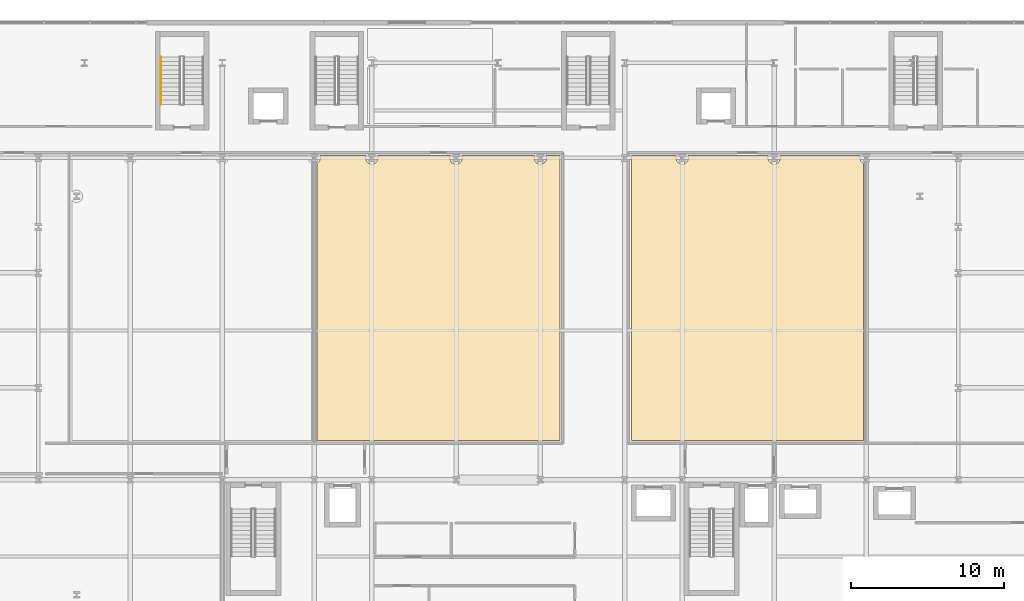
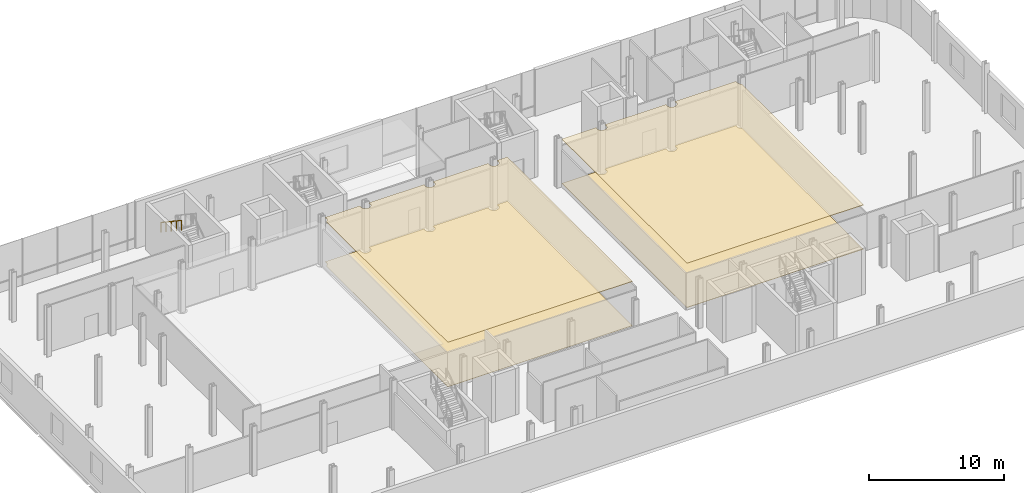
# One storey, part 23 of 25: 4 coverings, 1 railing.
"""IFC4 building model written with IfcOpenShell, lengths in metres."""

from ifc_helpers import new_model, si_unit, direction, frame, origin, origin_2d, place, context, subcontext, project, spatial, polyline, circle, outline, extrude, material, layer, layer_set, type_object, element, save


model = new_model("IFC4")

# Units and contexts
model_context = context("Model", 3, precision=1e-05, world=origin(), true_north=direction((0.0, 1.0)))
body_context = subcontext(model_context, "Body", "Model", "MODEL_VIEW")
ifc_project = project(units=[si_unit("LENGTHUNIT", "METRE"), si_unit("AREAUNIT", "SQUARE_METRE"), si_unit("VOLUMEUNIT", "CUBIC_METRE"), si_unit("PLANEANGLEUNIT", "RADIAN"), si_unit("MASSUNIT", "GRAM", prefix="KILO")], contexts=[model_context])

# Site, building, storey
site_placement = place(None, origin())
site = spatial("IfcSite", under=ifc_project, at=site_placement, CompositionType="ELEMENT")
building_placement = place(site_placement, origin())
building = spatial("IfcBuilding", under=site, at=building_placement, Name="Brevholm Reach", CompositionType="ELEMENT")
storey_placement = place(building_placement, frame((0.0, 0.0, 13.5)))
storey = spatial("IfcBuildingStorey", under=building, at=storey_placement, Name="L03", CompositionType="ELEMENT", Elevation=13.5)

# Coverings
ifc_material_1 = material(Name="Perforated Mineral-Fibre Class-A Acoustic Suspended Ceiling", Category="gypsum")
ifc_layer_1 = layer(ifc_material_1, 0.044921875)
ifc_layer_set_1 = layer_set([ifc_layer_1], Name="Perforated Mineral-Fibre Class-A Acoustic Suspended Ceiling")
covering_type_1 = type_object("IfcCoveringType", Name="COV-CLG-AC", PredefinedType="CEILING", material=ifc_layer_set_1)
covering_1_placement = place(storey_placement, frame((0.0, 0.0, 4.0048828125)))
element("IfcCovering", 1, at=covering_1_placement, inside=storey, type_object=covering_type_1, Name="L03 Suspended Ceiling L03-37", PredefinedType="CEILING", context=body_context, shape_type="SweptSolid", body=[
    extrude(outline(polyline([(18.18408203125, 12.583984375), (18.18408203125, 30.64501953125), (18.188720703125, 30.647216796875), (18.22216796875, 30.66748046875), (18.25390625, 30.69091796875), (18.28271484375, 30.71728515625), (18.30908203125, 30.74609375), (18.33251953125, 30.77783203125), (18.352783203125, 30.811279296875), (18.36962890625, 30.846923828125), (18.3828125, 30.8837890625), (18.392333984375, 30.922119140625), (18.398193359375, 30.960693359375), (18.39990234375, 31.0), (18.398193359375, 31.039306640625), (18.392333984375, 31.077880859375), (18.3828125, 31.1162109375), (18.36962890625, 31.153076171875), (18.36328125, 31.166015625), (21.38671875, 31.166015625), (21.38037109375, 31.153076171875), (21.3671875, 31.1162109375), (21.357666015625, 31.077880859375), (21.351806640625, 31.039306640625), (21.35009765625, 31.0), (21.351806640625, 30.960693359375), (21.357666015625, 30.922119140625), (21.3671875, 30.8837890625), (21.38037109375, 30.846923828125), (21.397216796875, 30.811279296875), (21.41748046875, 30.77783203125), (21.44091796875, 30.74609375), (21.46728515625, 30.71728515625), (21.49609375, 30.69091796875), (21.52783203125, 30.66748046875), (21.561279296875, 30.647216796875), (21.596923828125, 30.63037109375), (21.6337890625, 30.6171875), (21.672119140625, 30.607666015625), (21.710693359375, 30.601806640625), (21.75, 30.60009765625), (21.789306640625, 30.601806640625), (21.827880859375, 30.607666015625), (21.8662109375, 30.6171875), (21.903076171875, 30.63037109375), (21.938720703125, 30.647216796875), (21.97216796875, 30.66748046875), (22.00390625, 30.69091796875), (22.03271484375, 30.71728515625), (22.05908203125, 30.74609375), (22.08251953125, 30.77783203125), (22.102783203125, 30.811279296875), (22.11962890625, 30.846923828125), (22.1328125, 30.8837890625), (22.142333984375, 30.922119140625), (22.148193359375, 30.960693359375), (22.14990234375, 31.0), (22.148193359375, 31.039306640625), (22.142333984375, 31.077880859375), (22.1328125, 31.1162109375), (22.11962890625, 31.153076171875), (22.11328125, 31.166015625), (26.88671875, 31.166015625), (26.88037109375, 31.153076171875), (26.8671875, 31.1162109375), (26.857666015625, 31.077880859375), (26.851806640625, 31.039306640625), (26.85009765625, 31.0), (26.851806640625, 30.960693359375), (26.857666015625, 30.922119140625), (26.8671875, 30.8837890625), (26.88037109375, 30.846923828125), (26.897216796875, 30.811279296875), (26.91748046875, 30.77783203125), (26.94091796875, 30.74609375), (26.96728515625, 30.71728515625), (26.99609375, 30.69091796875), (27.02783203125, 30.66748046875), (27.061279296875, 30.647216796875), (27.096923828125, 30.63037109375), (27.1337890625, 30.6171875), (27.172119140625, 30.607666015625), (27.210693359375, 30.601806640625), (27.25, 30.60009765625), (27.289306640625, 30.601806640625), (27.327880859375, 30.607666015625), (27.3662109375, 30.6171875), (27.403076171875, 30.63037109375), (27.438720703125, 30.647216796875), (27.47216796875, 30.66748046875), (27.50390625, 30.69091796875), (27.53271484375, 30.71728515625), (27.55908203125, 30.74609375), (27.58251953125, 30.77783203125), (27.602783203125, 30.811279296875), (27.61962890625, 30.846923828125), (27.6328125, 30.8837890625), (27.642333984375, 30.922119140625), (27.648193359375, 30.960693359375), (27.64990234375, 31.0), (27.648193359375, 31.039306640625), (27.642333984375, 31.077880859375), (27.6328125, 31.1162109375), (27.61962890625, 31.153076171875), (27.61328125, 31.166015625), (32.38671875, 31.166015625), (32.38037109375, 31.153076171875), (32.3671875, 31.1162109375), (32.357666015625, 31.077880859375), (32.351806640625, 31.039306640625), (32.35009765625, 31.0), (32.351806640625, 30.960693359375), (32.357666015625, 30.922119140625), (32.3671875, 30.8837890625), (32.38037109375, 30.846923828125), (32.397216796875, 30.811279296875), (32.41748046875, 30.77783203125), (32.44091796875, 30.74609375), (32.46728515625, 30.71728515625), (32.49609375, 30.69091796875), (32.52783203125, 30.66748046875), (32.561279296875, 30.647216796875), (32.596923828125, 30.63037109375), (32.6337890625, 30.6171875), (32.672119140625, 30.607666015625), (32.710693359375, 30.601806640625), (32.75, 30.60009765625), (32.789306640625, 30.601806640625), (32.827880859375, 30.607666015625), (32.8662109375, 30.6171875), (32.903076171875, 30.63037109375), (32.938720703125, 30.647216796875), (32.97216796875, 30.66748046875), (33.00390625, 30.69091796875), (33.03271484375, 30.71728515625), (33.05908203125, 30.74609375), (33.08251953125, 30.77783203125), (33.102783203125, 30.811279296875), (33.11962890625, 30.846923828125), (33.1328125, 30.8837890625), (33.142333984375, 30.922119140625), (33.148193359375, 30.960693359375), (33.14990234375, 31.0), (33.148193359375, 31.039306640625), (33.142333984375, 31.077880859375), (33.1328125, 31.1162109375), (33.11962890625, 31.153076171875), (33.11328125, 31.166015625), (34.01611328125, 31.166015625), (34.01611328125, 12.583984375), (18.18408203125, 12.583984375)])), origin(), (0.0, 0.0, 1.0), 0.045166015625),
])
covering_2_placement = place(storey_placement, frame((0.0, 0.0, 4.0048828125)))
element("IfcCovering", 2, at=covering_2_placement, inside=storey, type_object=covering_type_1, Name="L03 Suspended Ceiling L03-38", PredefinedType="CEILING", context=body_context, shape_type="SweptSolid", body=[
    extrude(outline(polyline([(53.820068359375, 12.583984375), (38.68408203125, 12.583984375), (38.68408203125, 31.166015625), (41.63671875, 31.166015625), (41.63037109375, 31.153076171875), (41.6171875, 31.1162109375), (41.607666015625, 31.077880859375), (41.601806640625, 31.039306640625), (41.60009765625, 31.0), (41.601806640625, 30.960693359375), (41.607666015625, 30.922119140625), (41.6171875, 30.8837890625), (41.63037109375, 30.846923828125), (41.647216796875, 30.811279296875), (41.66748046875, 30.77783203125), (41.69091796875, 30.74609375), (41.71728515625, 30.71728515625), (41.74609375, 30.69091796875), (41.77783203125, 30.66748046875), (41.811279296875, 30.647216796875), (41.846923828125, 30.63037109375), (41.8837890625, 30.6171875), (41.922119140625, 30.607666015625), (41.960693359375, 30.601806640625), (42.0, 30.60009765625), (42.039306640625, 30.601806640625), (42.077880859375, 30.607666015625), (42.1162109375, 30.6171875), (42.153076171875, 30.63037109375), (42.188720703125, 30.647216796875), (42.22216796875, 30.66748046875), (42.25390625, 30.69091796875), (42.28271484375, 30.71728515625), (42.30908203125, 30.74609375), (42.33251953125, 30.77783203125), (42.352783203125, 30.811279296875), (42.36962890625, 30.846923828125), (42.3828125, 30.8837890625), (42.392333984375, 30.922119140625), (42.398193359375, 30.960693359375), (42.39990234375, 31.0), (42.398193359375, 31.039306640625), (42.392333984375, 31.077880859375), (42.3828125, 31.1162109375), (42.36962890625, 31.153076171875), (42.36328125, 31.166015625), (47.63671875, 31.166015625), (47.63037109375, 31.153076171875), (47.6171875, 31.1162109375), (47.607666015625, 31.077880859375), (47.601806640625, 31.039306640625), (47.60009765625, 31.0), (47.601806640625, 30.960693359375), (47.607666015625, 30.922119140625), (47.6171875, 30.8837890625), (47.63037109375, 30.846923828125), (47.647216796875, 30.811279296875), (47.66748046875, 30.77783203125), (47.69091796875, 30.74609375), (47.71728515625, 30.71728515625), (47.74609375, 30.69091796875), (47.77783203125, 30.66748046875), (47.811279296875, 30.647216796875), (47.846923828125, 30.63037109375), (47.8837890625, 30.6171875), (47.922119140625, 30.607666015625), (47.960693359375, 30.601806640625), (48.0, 30.60009765625), (48.039306640625, 30.601806640625), (48.077880859375, 30.607666015625), (48.1162109375, 30.6171875), (48.153076171875, 30.63037109375), (48.188720703125, 30.647216796875), (48.22216796875, 30.66748046875), (48.25390625, 30.69091796875), (48.28271484375, 30.71728515625), (48.30908203125, 30.74609375), (48.33251953125, 30.77783203125), (48.352783203125, 30.811279296875), (48.36962890625, 30.846923828125), (48.3828125, 30.8837890625), (48.392333984375, 30.922119140625), (48.398193359375, 30.960693359375), (48.39990234375, 31.0), (48.398193359375, 31.039306640625), (48.392333984375, 31.077880859375), (48.3828125, 31.1162109375), (48.36962890625, 31.153076171875), (48.36328125, 31.166015625), (53.63671875, 31.166015625), (53.63037109375, 31.153076171875), (53.6171875, 31.1162109375), (53.607666015625, 31.077880859375), (53.601806640625, 31.039306640625), (53.60009765625, 31.0), (53.601806640625, 30.960693359375), (53.607666015625, 30.922119140625), (53.6171875, 30.8837890625), (53.63037109375, 30.846923828125), (53.647216796875, 30.811279296875), (53.66748046875, 30.77783203125), (53.69091796875, 30.74609375), (53.71728515625, 30.71728515625), (53.74609375, 30.69091796875), (53.77783203125, 30.66748046875), (53.811279296875, 30.647216796875), (53.820068359375, 30.643310546875), (53.820068359375, 12.583984375)])), origin(), (0.0, 0.0, 1.0), 0.045166015625),
])
ifc_material_2 = material(Name="Engineered European Oak Acoustic Plank Flooring", Category="timber")
ifc_layer_2 = layer(ifc_material_2, 0.02197265625)
ifc_layer_set_2 = layer_set([ifc_layer_2], Name="Engineered European Oak Acoustic Plank Flooring")
covering_type_2 = type_object("IfcCoveringType", Name="COV-FLR-OAK", PredefinedType="FLOORING", material=ifc_layer_set_2)
covering_3_placement = place(storey_placement, origin())
element("IfcCovering", 3, at=covering_3_placement, inside=storey, type_object=covering_type_2, Name="L03 Floor Finish L03-37", PredefinedType="FLOORING", context=body_context, shape_type="SweptSolid", body=[
    extrude(outline(polyline([(18.18408203125, 12.583984375), (18.18408203125, 30.64501953125), (18.188720703125, 30.647216796875), (18.22216796875, 30.66748046875), (18.25390625, 30.69091796875), (18.28271484375, 30.71728515625), (18.30908203125, 30.74609375), (18.33251953125, 30.77783203125), (18.352783203125, 30.811279296875), (18.36962890625, 30.846923828125), (18.3828125, 30.8837890625), (18.392333984375, 30.922119140625), (18.398193359375, 30.960693359375), (18.39990234375, 31.0), (18.398193359375, 31.039306640625), (18.392333984375, 31.077880859375), (18.3828125, 31.1162109375), (18.36962890625, 31.153076171875), (18.36328125, 31.166015625), (21.38671875, 31.166015625), (21.38037109375, 31.153076171875), (21.3671875, 31.1162109375), (21.357666015625, 31.077880859375), (21.351806640625, 31.039306640625), (21.35009765625, 31.0), (21.351806640625, 30.960693359375), (21.357666015625, 30.922119140625), (21.3671875, 30.8837890625), (21.38037109375, 30.846923828125), (21.397216796875, 30.811279296875), (21.41748046875, 30.77783203125), (21.44091796875, 30.74609375), (21.46728515625, 30.71728515625), (21.49609375, 30.69091796875), (21.52783203125, 30.66748046875), (21.561279296875, 30.647216796875), (21.596923828125, 30.63037109375), (21.6337890625, 30.6171875), (21.672119140625, 30.607666015625), (21.710693359375, 30.601806640625), (21.75, 30.60009765625), (21.789306640625, 30.601806640625), (21.827880859375, 30.607666015625), (21.8662109375, 30.6171875), (21.903076171875, 30.63037109375), (21.938720703125, 30.647216796875), (21.97216796875, 30.66748046875), (22.00390625, 30.69091796875), (22.03271484375, 30.71728515625), (22.05908203125, 30.74609375), (22.08251953125, 30.77783203125), (22.102783203125, 30.811279296875), (22.11962890625, 30.846923828125), (22.1328125, 30.8837890625), (22.142333984375, 30.922119140625), (22.148193359375, 30.960693359375), (22.14990234375, 31.0), (22.148193359375, 31.039306640625), (22.142333984375, 31.077880859375), (22.1328125, 31.1162109375), (22.11962890625, 31.153076171875), (22.11328125, 31.166015625), (26.88671875, 31.166015625), (26.88037109375, 31.153076171875), (26.8671875, 31.1162109375), (26.857666015625, 31.077880859375), (26.851806640625, 31.039306640625), (26.85009765625, 31.0), (26.851806640625, 30.960693359375), (26.857666015625, 30.922119140625), (26.8671875, 30.8837890625), (26.88037109375, 30.846923828125), (26.897216796875, 30.811279296875), (26.91748046875, 30.77783203125), (26.94091796875, 30.74609375), (26.96728515625, 30.71728515625), (26.99609375, 30.69091796875), (27.02783203125, 30.66748046875), (27.061279296875, 30.647216796875), (27.096923828125, 30.63037109375), (27.1337890625, 30.6171875), (27.172119140625, 30.607666015625), (27.210693359375, 30.601806640625), (27.25, 30.60009765625), (27.289306640625, 30.601806640625), (27.327880859375, 30.607666015625), (27.3662109375, 30.6171875), (27.403076171875, 30.63037109375), (27.438720703125, 30.647216796875), (27.47216796875, 30.66748046875), (27.50390625, 30.69091796875), (27.53271484375, 30.71728515625), (27.55908203125, 30.74609375), (27.58251953125, 30.77783203125), (27.602783203125, 30.811279296875), (27.61962890625, 30.846923828125), (27.6328125, 30.8837890625), (27.642333984375, 30.922119140625), (27.648193359375, 30.960693359375), (27.64990234375, 31.0), (27.648193359375, 31.039306640625), (27.642333984375, 31.077880859375), (27.6328125, 31.1162109375), (27.61962890625, 31.153076171875), (27.61328125, 31.166015625), (32.38671875, 31.166015625), (32.38037109375, 31.153076171875), (32.3671875, 31.1162109375), (32.357666015625, 31.077880859375), (32.351806640625, 31.039306640625), (32.35009765625, 31.0), (32.351806640625, 30.960693359375), (32.357666015625, 30.922119140625), (32.3671875, 30.8837890625), (32.38037109375, 30.846923828125), (32.397216796875, 30.811279296875), (32.41748046875, 30.77783203125), (32.44091796875, 30.74609375), (32.46728515625, 30.71728515625), (32.49609375, 30.69091796875), (32.52783203125, 30.66748046875), (32.561279296875, 30.647216796875), (32.596923828125, 30.63037109375), (32.6337890625, 30.6171875), (32.672119140625, 30.607666015625), (32.710693359375, 30.601806640625), (32.75, 30.60009765625), (32.789306640625, 30.601806640625), (32.827880859375, 30.607666015625), (32.8662109375, 30.6171875), (32.903076171875, 30.63037109375), (32.938720703125, 30.647216796875), (32.97216796875, 30.66748046875), (33.00390625, 30.69091796875), (33.03271484375, 30.71728515625), (33.05908203125, 30.74609375), (33.08251953125, 30.77783203125), (33.102783203125, 30.811279296875), (33.11962890625, 30.846923828125), (33.1328125, 30.8837890625), (33.142333984375, 30.922119140625), (33.148193359375, 30.960693359375), (33.14990234375, 31.0), (33.148193359375, 31.039306640625), (33.142333984375, 31.077880859375), (33.1328125, 31.1162109375), (33.11962890625, 31.153076171875), (33.11328125, 31.166015625), (34.01611328125, 31.166015625), (34.01611328125, 12.583984375), (18.18408203125, 12.583984375)])), origin(), (0.0, 0.0, 1.0), 0.02197265625),
])
ifc_material_3 = material(Name="Honed Portland-Aggregate Resin Terrazzo Flooring", Category="concrete")
ifc_layer_3 = layer(ifc_material_3, 0.031982421875)
ifc_layer_set_3 = layer_set([ifc_layer_3], Name="Honed Portland-Aggregate Resin Terrazzo Flooring")
covering_type_3 = type_object("IfcCoveringType", Name="COV-FLR-TRZ", PredefinedType="FLOORING", material=ifc_layer_set_3)
covering_4_placement = place(storey_placement, origin())
element("IfcCovering", 4, at=covering_4_placement, inside=storey, type_object=covering_type_3, Name="L03 Floor Finish L03-38", PredefinedType="FLOORING", context=body_context, shape_type="SweptSolid", body=[
    extrude(outline(polyline([(53.820068359375, 12.583984375), (38.68408203125, 12.583984375), (38.68408203125, 31.166015625), (41.63671875, 31.166015625), (41.63037109375, 31.153076171875), (41.6171875, 31.1162109375), (41.607666015625, 31.077880859375), (41.601806640625, 31.039306640625), (41.60009765625, 31.0), (41.601806640625, 30.960693359375), (41.607666015625, 30.922119140625), (41.6171875, 30.8837890625), (41.63037109375, 30.846923828125), (41.647216796875, 30.811279296875), (41.66748046875, 30.77783203125), (41.69091796875, 30.74609375), (41.71728515625, 30.71728515625), (41.74609375, 30.69091796875), (41.77783203125, 30.66748046875), (41.811279296875, 30.647216796875), (41.846923828125, 30.63037109375), (41.8837890625, 30.6171875), (41.922119140625, 30.607666015625), (41.960693359375, 30.601806640625), (42.0, 30.60009765625), (42.039306640625, 30.601806640625), (42.077880859375, 30.607666015625), (42.1162109375, 30.6171875), (42.153076171875, 30.63037109375), (42.188720703125, 30.647216796875), (42.22216796875, 30.66748046875), (42.25390625, 30.69091796875), (42.28271484375, 30.71728515625), (42.30908203125, 30.74609375), (42.33251953125, 30.77783203125), (42.352783203125, 30.811279296875), (42.36962890625, 30.846923828125), (42.3828125, 30.8837890625), (42.392333984375, 30.922119140625), (42.398193359375, 30.960693359375), (42.39990234375, 31.0), (42.398193359375, 31.039306640625), (42.392333984375, 31.077880859375), (42.3828125, 31.1162109375), (42.36962890625, 31.153076171875), (42.36328125, 31.166015625), (47.63671875, 31.166015625), (47.63037109375, 31.153076171875), (47.6171875, 31.1162109375), (47.607666015625, 31.077880859375), (47.601806640625, 31.039306640625), (47.60009765625, 31.0), (47.601806640625, 30.960693359375), (47.607666015625, 30.922119140625), (47.6171875, 30.8837890625), (47.63037109375, 30.846923828125), (47.647216796875, 30.811279296875), (47.66748046875, 30.77783203125), (47.69091796875, 30.74609375), (47.71728515625, 30.71728515625), (47.74609375, 30.69091796875), (47.77783203125, 30.66748046875), (47.811279296875, 30.647216796875), (47.846923828125, 30.63037109375), (47.8837890625, 30.6171875), (47.922119140625, 30.607666015625), (47.960693359375, 30.601806640625), (48.0, 30.60009765625), (48.039306640625, 30.601806640625), (48.077880859375, 30.607666015625), (48.1162109375, 30.6171875), (48.153076171875, 30.63037109375), (48.188720703125, 30.647216796875), (48.22216796875, 30.66748046875), (48.25390625, 30.69091796875), (48.28271484375, 30.71728515625), (48.30908203125, 30.74609375), (48.33251953125, 30.77783203125), (48.352783203125, 30.811279296875), (48.36962890625, 30.846923828125), (48.3828125, 30.8837890625), (48.392333984375, 30.922119140625), (48.398193359375, 30.960693359375), (48.39990234375, 31.0), (48.398193359375, 31.039306640625), (48.392333984375, 31.077880859375), (48.3828125, 31.1162109375), (48.36962890625, 31.153076171875), (48.36328125, 31.166015625), (53.63671875, 31.166015625), (53.63037109375, 31.153076171875), (53.6171875, 31.1162109375), (53.607666015625, 31.077880859375), (53.601806640625, 31.039306640625), (53.60009765625, 31.0), (53.601806640625, 30.960693359375), (53.607666015625, 30.922119140625), (53.6171875, 30.8837890625), (53.63037109375, 30.846923828125), (53.647216796875, 30.811279296875), (53.66748046875, 30.77783203125), (53.69091796875, 30.74609375), (53.71728515625, 30.71728515625), (53.74609375, 30.69091796875), (53.77783203125, 30.66748046875), (53.811279296875, 30.647216796875), (53.820068359375, 30.643310546875), (53.820068359375, 12.583984375)])), origin(), (0.0, 0.0, 1.0), 0.031982421875),
])

# Railing
ifc_material_4 = material(Name="Brushed Stainless Steel EN 1.4401 Continuous Handrail", Category="steel")
railing_type = type_object("IfcRailingType", Name="RAL-HND-950", PredefinedType="HANDRAIL", material=ifc_material_4)
railing_placement = place(storey_placement, frame((8.0, 37.580078125, 2.4375)))
element("IfcRailing", 5, at=railing_placement, inside=storey, type_object=railing_type, Name="L03 ST-S1 stair handrail 2", PredefinedType="HANDRAIL", context=body_context, shape_type="SweptSolid", body=[
    extrude(circle(Radius=0.02392578125, at=origin_2d()), frame((0.0, 0.0, 0.8857421875), z_axis=(0.0, -0.830913701846, 0.55640131208), x_axis=(1.0, 0.0, 0.0)), (0.0, 0.0, 1.0), 3.706787109375),
    extrude(circle(Radius=0.02099609375, at=origin_2d()), origin(), (0.0, 0.0, 1.0), 0.86181640625),
    extrude(circle(Radius=0.02099609375, at=origin_2d()), frame((0.0, -0.77001953125, 0.515625)), (0.0, 0.0, 1.0), 0.86181640625),
    extrude(circle(Radius=0.02099609375, at=origin_2d()), frame((0.0, -1.5400390625, 1.03125)), (0.0, 0.0, 1.0), 0.86181640625),
    extrude(circle(Radius=0.02099609375, at=origin_2d()), frame((0.0, -2.31005859375, 1.546875)), (0.0, 0.0, 1.0), 0.86181640625),
    extrude(circle(Radius=0.02099609375, at=origin_2d()), frame((0.0, -3.080078125, 2.0625)), (0.0, 0.0, 1.0), 0.86181640625),
])

save(model, "model.ifc")
